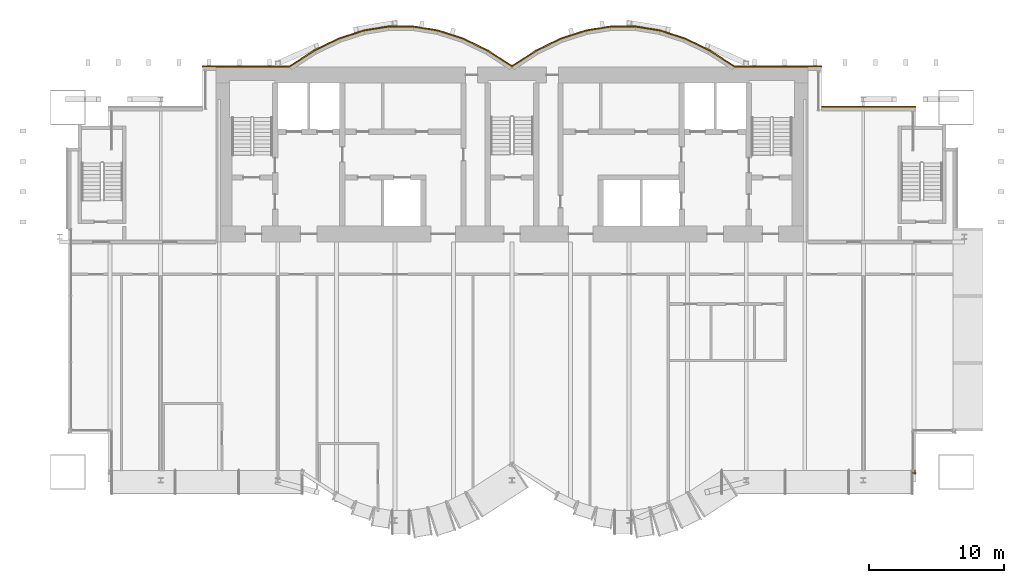
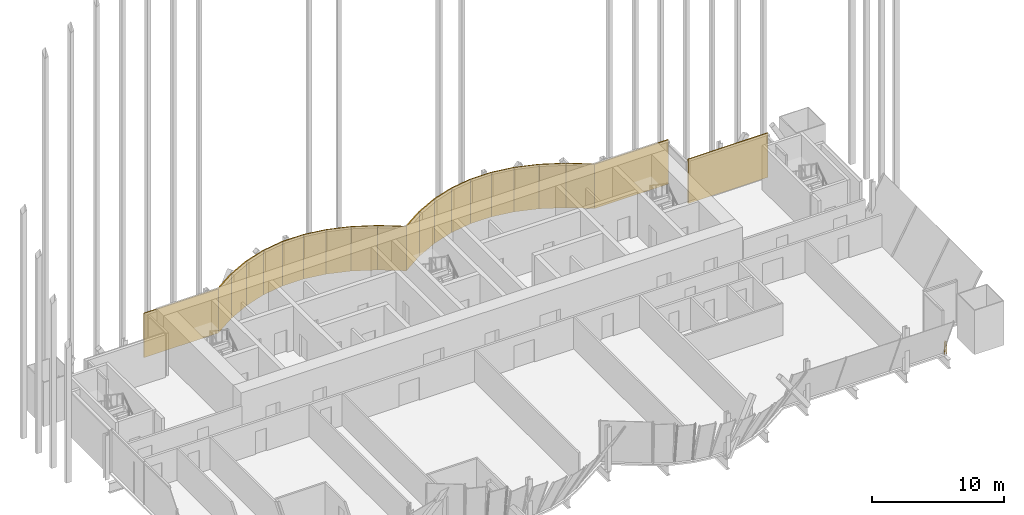
# One storey, part 28 of 29: 21 coverings, 1 railing.
"""IFC4 building model written with IfcOpenShell, lengths in metres."""

from ifc_helpers import new_model, si_unit, direction, frame, origin, origin_2d, place, context, subcontext, project, spatial, rectangle, circle, extrude, material, layer, layer_set, type_object, element, save


model = new_model("IFC4")

# Units and contexts
model_context = context("Model", 3, precision=1e-05, world=origin(), true_north=direction((0.0, 1.0)))
body_context = subcontext(model_context, "Body", "Model", "MODEL_VIEW")
ifc_project = project(units=[si_unit("LENGTHUNIT", "METRE"), si_unit("AREAUNIT", "SQUARE_METRE"), si_unit("VOLUMEUNIT", "CUBIC_METRE"), si_unit("PLANEANGLEUNIT", "RADIAN"), si_unit("MASSUNIT", "GRAM", prefix="KILO")], contexts=[model_context])

# Site, building, storey
site_placement = place(None, origin())
site = spatial("IfcSite", under=ifc_project, at=site_placement, CompositionType="ELEMENT")
building_placement = place(site_placement, origin())
building = spatial("IfcBuilding", under=site, at=building_placement, Name="Bicima Exchange Tower", CompositionType="ELEMENT")
storey_placement = place(building_placement, frame((0.0, 0.0, 190.89990234375)))
storey = spatial("IfcBuildingStorey", under=building, at=storey_placement, Name="L42", CompositionType="ELEMENT", Elevation=190.89990234375)

# Coverings
ifc_material_1 = material(Name="Bronze metal cladding")
ifc_layer_1 = layer(ifc_material_1, 0.004)
ifc_material_2 = material(Name="Ventilated cavity")
ifc_layer_2 = layer(ifc_material_2, 0.06)
ifc_material_3 = material(Name="Galvanised steel rail and mineral wool", Category="steel")
ifc_layer_3 = layer(ifc_material_3, 0.036)
ifc_layer_set = layer_set([ifc_layer_1, ifc_layer_2, ifc_layer_3], Name="Ventilated cavity")
covering_type = type_object("IfcCoveringType", Name="Bronze metal cladding panel 100", PredefinedType="CLADDING", material=ifc_layer_set)
covering_1_placement = place(storey_placement, frame((26.5, -2.949951171875, -0.14990234375), z_axis=(0.0, 0.0, 1.0), x_axis=(-1.0, 0.0, 0.0)))
element("IfcCovering", 1, at=covering_1_placement, inside=storey, type_object=covering_type, Name="Bronze cladding L42 5.1", PredefinedType="CLADDING", context=body_context, shape_type="SweptSolid", body=[
    extrude(rectangle(XDim=7.0, YDim=0.10009765625, at=origin_2d()), origin(), (0.0, 0.0, 1.0), 4.10009765625),
])
covering_2_placement = place(storey_placement, frame((19.75, 0.050048828125, -0.14990234375), z_axis=(0.0, 0.0, 1.0), x_axis=(-1.0, 0.0, 0.0)))
element("IfcCovering", 2, at=covering_2_placement, inside=storey, type_object=covering_type, Name="Bronze cladding L42 7.1", PredefinedType="CLADDING", context=body_context, shape_type="SweptSolid", body=[
    extrude(rectangle(XDim=6.5, YDim=0.10009765625, at=origin_2d()), origin(), (0.0, 0.0, 1.0), 4.10009765625),
])
covering_3_placement = place(storey_placement, frame((15.610595703125, 0.634521484375, -0.14990234375), z_axis=(0.0, 0.0, 1.0), x_axis=(-0.839790466384, 0.542910648791, 0.0)))
element("IfcCovering", 3, at=covering_3_placement, inside=storey, type_object=covering_type, Name="Bronze cladding L42 8.1", PredefinedType="CLADDING", context=body_context, shape_type="SweptSolid", body=[
    extrude(rectangle(XDim=2.18310546875, YDim=0.10009765625, at=origin_2d()), origin(), (0.0, 0.0, 1.0), 4.10009765625),
])
covering_4_placement = place(storey_placement, frame((13.771728515625, 1.674560546875, -0.14990234375), z_axis=(0.0, 0.0, 1.0), x_axis=(-0.899818346812, 0.436264762204, 0.0)))
element("IfcCovering", 4, at=covering_4_placement, inside=storey, type_object=covering_type, Name="Bronze cladding L42 9.1", PredefinedType="CLADDING", context=body_context, shape_type="SweptSolid", body=[
    extrude(rectangle(XDim=2.03759765625, YDim=0.10009765625, at=origin_2d()), origin(), (0.0, 0.0, 1.0), 4.10009765625),
])
covering_5_placement = place(storey_placement, frame((11.931884765625, 2.41796875, -0.14990234375), z_axis=(0.0, 0.0, 1.0), x_axis=(-0.951524642381, 0.307572519808, 0.0)))
element("IfcCovering", 5, at=covering_5_placement, inside=storey, type_object=covering_type, Name="Bronze cladding L42 10.1", PredefinedType="CLADDING", context=body_context, shape_type="SweptSolid", body=[
    extrude(rectangle(XDim=1.9267578125, YDim=0.10009765625, at=origin_2d()), origin(), (0.0, 0.0, 1.0), 4.10009765625),
])
covering_6_placement = place(storey_placement, frame((10.09130859375, 2.8642578125, -0.14990234375), z_axis=(0.0, 0.0, 1.0), x_axis=(-0.987189786347, 0.159550386184, 0.0)))
element("IfcCovering", 6, at=covering_6_placement, inside=storey, type_object=covering_type, Name="Bronze cladding L42 11.1", PredefinedType="CLADDING", context=body_context, shape_type="SweptSolid", body=[
    extrude(rectangle(XDim=1.857177734375, YDim=0.10009765625, at=origin_2d()), origin(), (0.0, 0.0, 1.0), 4.10009765625),
])
covering_7_placement = place(storey_placement, frame((8.25, 3.012939453125, -0.14990234375), z_axis=(0.0, 0.0, 1.0), x_axis=(-1.0, 0.0, 0.0)))
element("IfcCovering", 7, at=covering_7_placement, inside=storey, type_object=covering_type, Name="Bronze cladding L42 12.1", PredefinedType="CLADDING", context=body_context, shape_type="SweptSolid", body=[
    extrude(rectangle(XDim=1.83349609375, YDim=0.10009765625, at=origin_2d()), origin(), (0.0, 0.0, 1.0), 4.10009765625),
])
covering_8_placement = place(storey_placement, frame((6.40869140625, 2.8642578125, -0.14990234375), z_axis=(0.0, 0.0, 1.0), x_axis=(-0.987189786347, -0.159550386184, 0.0)))
element("IfcCovering", 8, at=covering_8_placement, inside=storey, type_object=covering_type, Name="Bronze cladding L42 13.1", PredefinedType="CLADDING", context=body_context, shape_type="SweptSolid", body=[
    extrude(rectangle(XDim=1.857177734375, YDim=0.10009765625, at=origin_2d()), origin(), (0.0, 0.0, 1.0), 4.10009765625),
])
covering_9_placement = place(storey_placement, frame((4.568115234375, 2.41796875, -0.14990234375), z_axis=(0.0, 0.0, 1.0), x_axis=(-0.951524642381, -0.307572519808, 0.0)))
element("IfcCovering", 9, at=covering_9_placement, inside=storey, type_object=covering_type, Name="Bronze cladding L42 14.1", PredefinedType="CLADDING", context=body_context, shape_type="SweptSolid", body=[
    extrude(rectangle(XDim=1.9267578125, YDim=0.10009765625, at=origin_2d()), origin(), (0.0, 0.0, 1.0), 4.10009765625),
])
covering_10_placement = place(storey_placement, frame((2.728271484375, 1.674560546875, -0.14990234375), z_axis=(0.0, 0.0, 1.0), x_axis=(-0.899818346812, -0.436264762204, 0.0)))
element("IfcCovering", 10, at=covering_10_placement, inside=storey, type_object=covering_type, Name="Bronze cladding L42 15.1", PredefinedType="CLADDING", context=body_context, shape_type="SweptSolid", body=[
    extrude(rectangle(XDim=2.03759765625, YDim=0.10009765625, at=origin_2d()), origin(), (0.0, 0.0, 1.0), 4.10009765625),
])
for number, where, z_axis, x_axis, name in (
    (11, (0.889404296875, 0.634521484375, -0.14990234375), (0.0, 0.0, 1.0), (-0.839790466384, -0.542910648791, 0.0), "Bronze cladding L42 16.1"),
    (12, (-0.889404296875, 0.634521484375, -0.14990234375), (0.0, 0.0, 1.0), (-0.839790466384, 0.542910648791, 0.0), "Bronze cladding L42 17.1"),
):
    element("IfcCovering", number, at=place(storey_placement, frame(where, z_axis=z_axis, x_axis=x_axis)), inside=storey, type_object=covering_type, Name=name, PredefinedType="CLADDING", context=body_context, shape_type="SweptSolid", body=[
        extrude(rectangle(XDim=2.18310546875, YDim=0.10009765625, at=origin_2d()), origin(), (0.0, 0.0, 1.0), 4.10009765625),
    ])
covering_11_placement = place(storey_placement, frame((-2.728271484375, 1.674560546875, -0.14990234375), z_axis=(0.0, 0.0, 1.0), x_axis=(-0.899818346812, 0.436264762204, 0.0)))
element("IfcCovering", 13, at=covering_11_placement, inside=storey, type_object=covering_type, Name="Bronze cladding L42 18.1", PredefinedType="CLADDING", context=body_context, shape_type="SweptSolid", body=[
    extrude(rectangle(XDim=2.03759765625, YDim=0.10009765625, at=origin_2d()), origin(), (0.0, 0.0, 1.0), 4.10009765625),
])
covering_12_placement = place(storey_placement, frame((-4.568115234375, 2.41796875, -0.14990234375), z_axis=(0.0, 0.0, 1.0), x_axis=(-0.951524642381, 0.307572519808, 0.0)))
element("IfcCovering", 14, at=covering_12_placement, inside=storey, type_object=covering_type, Name="Bronze cladding L42 19.1", PredefinedType="CLADDING", context=body_context, shape_type="SweptSolid", body=[
    extrude(rectangle(XDim=1.9267578125, YDim=0.10009765625, at=origin_2d()), origin(), (0.0, 0.0, 1.0), 4.10009765625),
])
covering_13_placement = place(storey_placement, frame((-6.40869140625, 2.8642578125, -0.14990234375), z_axis=(0.0, 0.0, 1.0), x_axis=(-0.987189786347, 0.159550386184, 0.0)))
element("IfcCovering", 15, at=covering_13_placement, inside=storey, type_object=covering_type, Name="Bronze cladding L42 20.1", PredefinedType="CLADDING", context=body_context, shape_type="SweptSolid", body=[
    extrude(rectangle(XDim=1.857177734375, YDim=0.10009765625, at=origin_2d()), origin(), (0.0, 0.0, 1.0), 4.10009765625),
])
covering_14_placement = place(storey_placement, frame((-8.25, 3.012939453125, -0.14990234375), z_axis=(0.0, 0.0, 1.0), x_axis=(-1.0, 0.0, 0.0)))
element("IfcCovering", 16, at=covering_14_placement, inside=storey, type_object=covering_type, Name="Bronze cladding L42 21.1", PredefinedType="CLADDING", context=body_context, shape_type="SweptSolid", body=[
    extrude(rectangle(XDim=1.83349609375, YDim=0.10009765625, at=origin_2d()), origin(), (0.0, 0.0, 1.0), 4.10009765625),
])
covering_15_placement = place(storey_placement, frame((-10.09130859375, 2.8642578125, -0.14990234375), z_axis=(0.0, 0.0, 1.0), x_axis=(-0.987189786347, -0.159550386184, 0.0)))
element("IfcCovering", 17, at=covering_15_placement, inside=storey, type_object=covering_type, Name="Bronze cladding L42 22.1", PredefinedType="CLADDING", context=body_context, shape_type="SweptSolid", body=[
    extrude(rectangle(XDim=1.857177734375, YDim=0.10009765625, at=origin_2d()), origin(), (0.0, 0.0, 1.0), 4.10009765625),
])
covering_16_placement = place(storey_placement, frame((-11.931884765625, 2.41796875, -0.14990234375), z_axis=(0.0, 0.0, 1.0), x_axis=(-0.951524642381, -0.307572519808, 0.0)))
element("IfcCovering", 18, at=covering_16_placement, inside=storey, type_object=covering_type, Name="Bronze cladding L42 23.1", PredefinedType="CLADDING", context=body_context, shape_type="SweptSolid", body=[
    extrude(rectangle(XDim=1.9267578125, YDim=0.10009765625, at=origin_2d()), origin(), (0.0, 0.0, 1.0), 4.10009765625),
])
covering_17_placement = place(storey_placement, frame((-13.771728515625, 1.674560546875, -0.14990234375), z_axis=(0.0, 0.0, 1.0), x_axis=(-0.899818346812, -0.436264762204, 0.0)))
element("IfcCovering", 19, at=covering_17_placement, inside=storey, type_object=covering_type, Name="Bronze cladding L42 24.1", PredefinedType="CLADDING", context=body_context, shape_type="SweptSolid", body=[
    extrude(rectangle(XDim=2.03759765625, YDim=0.10009765625, at=origin_2d()), origin(), (0.0, 0.0, 1.0), 4.10009765625),
])
covering_18_placement = place(storey_placement, frame((-15.610595703125, 0.634521484375, -0.14990234375), z_axis=(0.0, 0.0, 1.0), x_axis=(-0.839790466384, -0.542910648791, 0.0)))
element("IfcCovering", 20, at=covering_18_placement, inside=storey, type_object=covering_type, Name="Bronze cladding L42 25.1", PredefinedType="CLADDING", context=body_context, shape_type="SweptSolid", body=[
    extrude(rectangle(XDim=2.18310546875, YDim=0.10009765625, at=origin_2d()), origin(), (0.0, 0.0, 1.0), 4.10009765625),
])
covering_19_placement = place(storey_placement, frame((-19.75, 0.050048828125, -0.14990234375), z_axis=(0.0, 0.0, 1.0), x_axis=(-1.0, 0.0, 0.0)))
element("IfcCovering", 21, at=covering_19_placement, inside=storey, type_object=covering_type, Name="Bronze cladding L42 26.1", PredefinedType="CLADDING", context=body_context, shape_type="SweptSolid", body=[
    extrude(rectangle(XDim=6.5, YDim=0.10009765625, at=origin_2d()), origin(), (0.0, 0.0, 1.0), 4.10009765625),
])

# Railing
ifc_material_4 = material(Name="Stainless steel and bonded safety glass", Category="steel")
railing_type = type_object("IfcRailingType", Name="Edge guard 1100", PredefinedType="GUARDRAIL", material=ifc_material_4)
railing_placement = place(storey_placement, frame((29.949951171875, -29.966064453125, 0.0)))
element("IfcRailing", 22, at=railing_placement, inside=storey, type_object=railing_type, Name="Edge guard L42 209", PredefinedType="GUARDRAIL", context=body_context, shape_type="SweptSolid", body=[
    extrude(circle(Radius=0.02392578125, at=origin_2d()), frame((0.0, 0.0, 1.076171875), z_axis=(0.0, -1.0, 0.0), x_axis=(1.0, 0.0, 0.0)), (0.0, 0.0, 1.0), 0.25),
    extrude(circle(Radius=0.02392578125, at=origin_2d()), frame((0.0, -0.25, 1.076171875), z_axis=(0.707106781187, 0.707106781187, 0.0), x_axis=(-0.707106781187, 0.707106781187, 0.0)), (0.0, 0.0, 1.0), 0.07080078125),
    extrude(circle(Radius=0.02392578125, at=origin_2d()), frame((0.050048828125, -0.199951171875, 1.076171875), z_axis=(-1.0, 0.0, 0.0), x_axis=(0.0, -1.0, 0.0)), (0.0, 0.0, 1.0), 0.248046875),
    extrude(circle(Radius=0.02099609375, at=origin_2d()), origin(), (0.0, 0.0, 1.0), 1.052001953125),
    extrude(circle(Radius=0.02099609375, at=origin_2d()), frame((0.0, -0.25, 0.0)), (0.0, 0.0, 1.0), 1.052001953125),
    extrude(circle(Radius=0.02099609375, at=origin_2d()), frame((0.050048828125, -0.199951171875, 0.0)), (0.0, 0.0, 1.0), 1.052001953125),
    extrude(circle(Radius=0.02099609375, at=origin_2d()), frame((-0.197998046875, -0.199951171875, 0.0)), (0.0, 0.0, 1.0), 1.052001953125),
])

save(model, "model.ifc")
